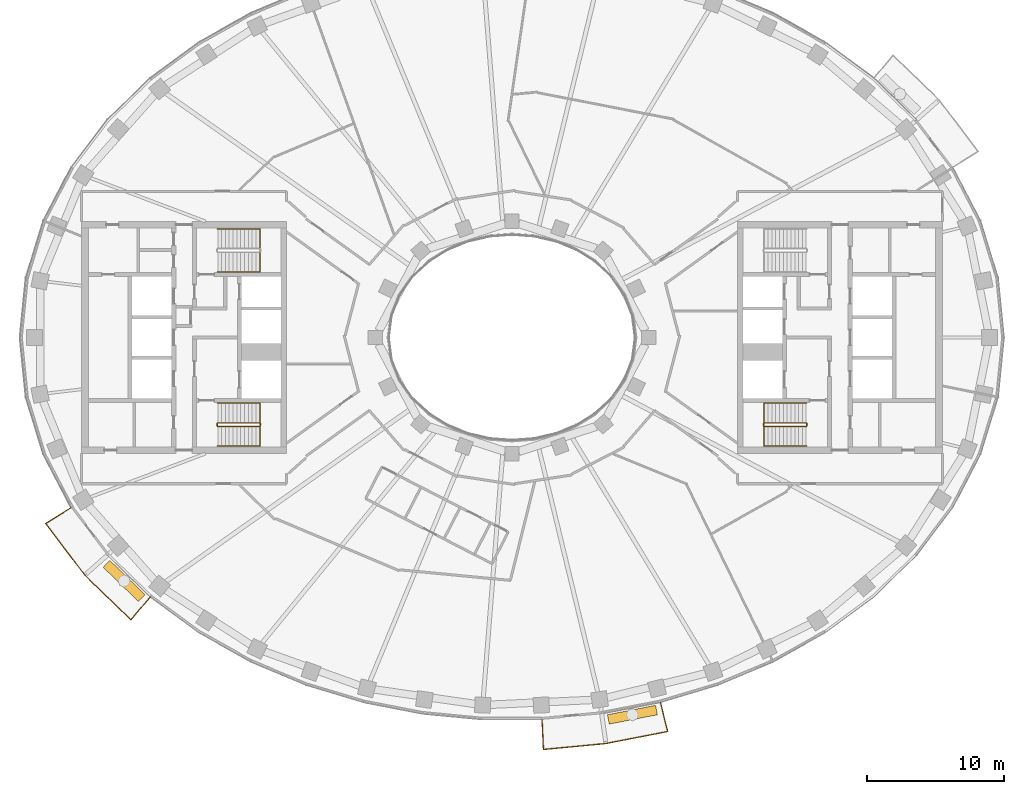
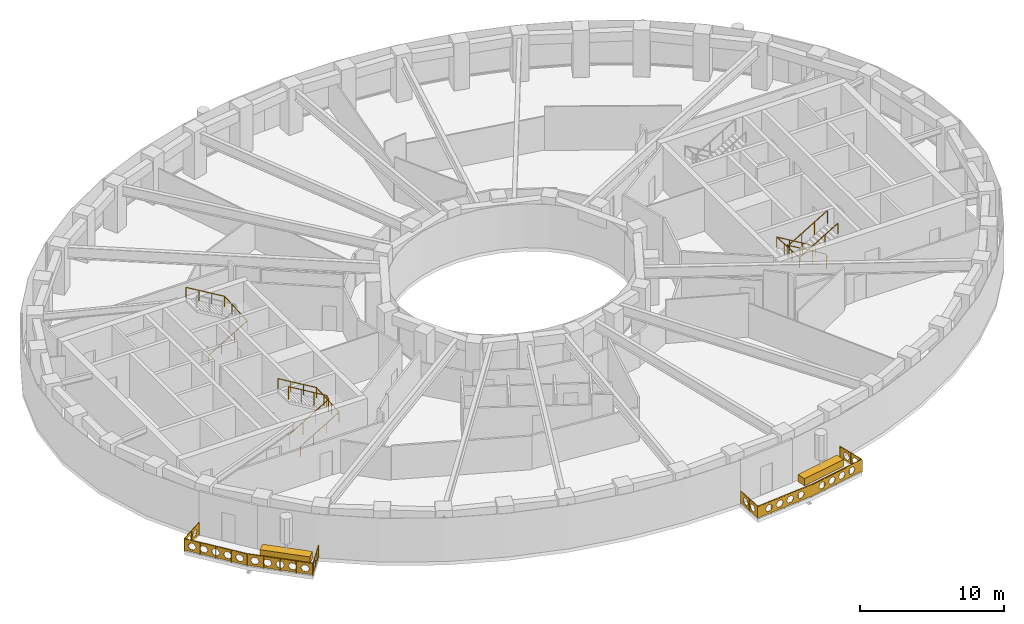
# One storey, part 14 of 16: 7 railings, 2 coverings.
"""IFC4 building model written with IfcOpenShell, lengths in metres."""

from ifc_helpers import new_model, si_unit, direction, frame, origin, origin_2d, place, context, subcontext, project, spatial, polyline, rectangle, outline, extrude, material, type_object, element, save


model = new_model("IFC4")

# Units and contexts
model_context = context("Model", 3, precision=1e-05, world=origin(), true_north=direction((0.0, 1.0)))
body_context = subcontext(model_context, "Body", "Model", "MODEL_VIEW")
ifc_project = project(units=[si_unit("LENGTHUNIT", "METRE"), si_unit("AREAUNIT", "SQUARE_METRE"), si_unit("VOLUMEUNIT", "CUBIC_METRE"), si_unit("PLANEANGLEUNIT", "RADIAN"), si_unit("MASSUNIT", "GRAM", prefix="KILO")], contexts=[model_context])

# Site, building, storey
site_placement = place(None, origin())
site = spatial("IfcSite", under=ifc_project, at=site_placement, CompositionType="ELEMENT")
building_placement = place(site_placement, origin())
building = spatial("IfcBuilding", under=site, at=building_placement, Name="Noorbagh Ring Tower", CompositionType="ELEMENT")
storey_placement = place(building_placement, frame((0.0, 0.0, 174.0)))
storey = spatial("IfcBuildingStorey", under=building, at=storey_placement, Name="L40", CompositionType="ELEMENT", Elevation=174.0)

# Railings
ifc_material_1 = material(Name="Stainless steel", Category="steel")
railing_type_1 = type_object("IfcRailingType", Name="CORE-STAIR-GUARD", PredefinedType="GUARDRAIL", material=ifc_material_1)
railing_1_placement = place(storey_placement, frame((-21.580078125, -6.449951171875, 0.0)))
element("IfcRailing", 1, at=railing_1_placement, inside=storey, type_object=railing_type_1, Name="L40 ST2 stair guard", PredefinedType="GUARDRAIL", context=body_context, shape_type="SweptSolid", body=[
    extrude(rectangle(XDim=0.048095703125, YDim=0.048095703125, at=origin_2d()), frame((0.0, 0.0, 1.076171875), z_axis=(0.0, 1.0, 0.0), x_axis=(-1.0, 0.0, 0.0)), (0.0, 0.0, 1.0), 0.14990234375),
    extrude(rectangle(XDim=0.048095703125, YDim=0.048095703125, at=origin_2d()), frame((0.0, 0.14990234375, 1.076171875), z_axis=(0.188775798145, -0.754182335027, 0.628945707965), x_axis=(0.970072785993, 0.242814311512, 0.0)), (0.0, 0.0, 1.0), 0.26513671875),
    extrude(rectangle(XDim=0.048095703125, YDim=0.048095703125, at=origin_2d()), frame((0.050048828125, -0.050048828125, 1.24267578125), z_axis=(0.859308565015, 0.0, 0.511457515432), x_axis=(0.0, 1.0, 0.0)), (0.0, 0.0, 1.0), 3.58447265625),
    extrude(rectangle(XDim=0.048095703125, YDim=0.048095703125, at=origin_2d()), frame((3.130126953125, -0.050048828125, 3.076171875), z_axis=(0.707106781187, 0.707106781187, 0.0), x_axis=(-0.707106781187, 0.707106781187, 0.0)), (0.0, 0.0, 1.0), 0.07080078125),
    extrude(rectangle(XDim=0.048095703125, YDim=0.048095703125, at=origin_2d()), frame((3.18017578125, 0.0, 3.076171875), z_axis=(0.0, 1.0, 0.0), x_axis=(-1.0, 0.0, 0.0)), (0.0, 0.0, 1.0), 0.14990234375),
    extrude(rectangle(XDim=0.048095703125, YDim=0.048095703125, at=origin_2d()), frame((3.18017578125, 0.14990234375, 3.076171875), z_axis=(-0.27628659633, 0.27628659633, 0.920506074601), x_axis=(-0.707106781187, -0.707106781187, 0.0)), (0.0, 0.0, 1.0), 0.18115234375),
    extrude(rectangle(XDim=0.048095703125, YDim=0.048095703125, at=origin_2d()), frame((3.130126953125, 0.199951171875, 3.24267578125), z_axis=(-0.859308565015, 0.0, 0.511457515432), x_axis=(0.0, -1.0, 0.0)), (0.0, 0.0, 1.0), 3.58447265625),
    extrude(rectangle(XDim=0.0419921875, YDim=0.0419921875, at=origin_2d()), origin(), (0.0, 0.0, 1.0), 1.052001953125),
    extrude(rectangle(XDim=0.0419921875, YDim=0.0419921875, at=origin_2d()), frame((1.07666015625, -0.050048828125, 0.77783203125)), (0.0, 0.0, 1.0), 1.052001953125),
    extrude(rectangle(XDim=0.0419921875, YDim=0.0419921875, at=origin_2d()), frame((2.103515625, -0.050048828125, 1.388916015625)), (0.0, 0.0, 1.0), 1.052001953125),
    extrude(rectangle(XDim=0.0419921875, YDim=0.0419921875, at=origin_2d()), frame((3.130126953125, -0.050048828125, 2.0)), (0.0, 0.0, 1.0), 1.052001953125),
    extrude(rectangle(XDim=0.0419921875, YDim=0.0419921875, at=origin_2d()), frame((3.130126953125, 0.199951171875, 2.166748046875)), (0.0, 0.0, 1.0), 1.052001953125),
    extrude(rectangle(XDim=0.0419921875, YDim=0.0419921875, at=origin_2d()), frame((2.103515625, 0.199951171875, 2.77783203125)), (0.0, 0.0, 1.0), 1.052001953125),
    extrude(rectangle(XDim=0.0419921875, YDim=0.0419921875, at=origin_2d()), frame((1.07666015625, 0.199951171875, 3.388916015625)), (0.0, 0.0, 1.0), 1.052001953125),
    extrude(rectangle(XDim=0.0419921875, YDim=0.0419921875, at=origin_2d()), frame((0.050048828125, 0.199951171875, 4.0)), (0.0, 0.0, 1.0), 1.052001953125),
])
railing_2_placement = place(storey_placement, frame((21.580078125, -6.300048828125, 0.0)))
element("IfcRailing", 2, at=railing_2_placement, inside=storey, type_object=railing_type_1, Name="L40 ST4 stair guard", PredefinedType="GUARDRAIL", context=body_context, shape_type="SweptSolid", body=[
    extrude(rectangle(XDim=0.048095703125, YDim=0.048095703125, at=origin_2d()), frame((0.0, 0.0, 1.076171875), z_axis=(0.0, -1.0, 0.0), x_axis=(1.0, 0.0, 0.0)), (0.0, 0.0, 1.0), 0.14990234375),
    extrude(rectangle(XDim=0.048095703125, YDim=0.048095703125, at=origin_2d()), frame((0.0, -0.14990234375, 1.076171875), z_axis=(-0.188775798145, 0.754182335027, 0.628945707965), x_axis=(-0.970072785993, -0.242814311512, 0.0)), (0.0, 0.0, 1.0), 0.26513671875),
    extrude(rectangle(XDim=0.048095703125, YDim=0.048095703125, at=origin_2d()), frame((-0.050048828125, 0.050048828125, 1.24267578125), z_axis=(-0.859308565015, 0.0, 0.511457515432), x_axis=(0.0, -1.0, 0.0)), (0.0, 0.0, 1.0), 3.58447265625),
    extrude(rectangle(XDim=0.048095703125, YDim=0.048095703125, at=origin_2d()), frame((-3.130126953125, 0.050048828125, 3.076171875), z_axis=(-0.707106781187, -0.707106781187, 0.0), x_axis=(0.707106781187, -0.707106781187, 0.0)), (0.0, 0.0, 1.0), 0.07080078125),
    extrude(rectangle(XDim=0.048095703125, YDim=0.048095703125, at=origin_2d()), frame((-3.18017578125, 0.0, 3.076171875), z_axis=(0.0, -1.0, 0.0), x_axis=(1.0, 0.0, 0.0)), (0.0, 0.0, 1.0), 0.14990234375),
    extrude(rectangle(XDim=0.048095703125, YDim=0.048095703125, at=origin_2d()), frame((-3.18017578125, -0.14990234375, 3.076171875), z_axis=(0.27628659633, -0.27628659633, 0.920506074601), x_axis=(0.707106781187, 0.707106781187, 0.0)), (0.0, 0.0, 1.0), 0.18115234375),
    extrude(rectangle(XDim=0.048095703125, YDim=0.048095703125, at=origin_2d()), frame((-3.130126953125, -0.199951171875, 3.24267578125), z_axis=(0.859308565015, 0.0, 0.511457515432), x_axis=(0.0, 1.0, 0.0)), (0.0, 0.0, 1.0), 3.58447265625),
    extrude(rectangle(XDim=0.0419921875, YDim=0.0419921875, at=origin_2d()), origin(), (0.0, 0.0, 1.0), 1.052001953125),
    extrude(rectangle(XDim=0.0419921875, YDim=0.0419921875, at=origin_2d()), frame((-1.07666015625, 0.050048828125, 0.77783203125)), (0.0, 0.0, 1.0), 1.052001953125),
    extrude(rectangle(XDim=0.0419921875, YDim=0.0419921875, at=origin_2d()), frame((-2.103515625, 0.050048828125, 1.388916015625)), (0.0, 0.0, 1.0), 1.052001953125),
    extrude(rectangle(XDim=0.0419921875, YDim=0.0419921875, at=origin_2d()), frame((-3.130126953125, 0.050048828125, 2.0)), (0.0, 0.0, 1.0), 1.052001953125),
    extrude(rectangle(XDim=0.0419921875, YDim=0.0419921875, at=origin_2d()), frame((-3.130126953125, -0.199951171875, 2.166748046875)), (0.0, 0.0, 1.0), 1.052001953125),
    extrude(rectangle(XDim=0.0419921875, YDim=0.0419921875, at=origin_2d()), frame((-2.103515625, -0.199951171875, 2.77783203125)), (0.0, 0.0, 1.0), 1.052001953125),
    extrude(rectangle(XDim=0.0419921875, YDim=0.0419921875, at=origin_2d()), frame((-1.07666015625, -0.199951171875, 3.388916015625)), (0.0, 0.0, 1.0), 1.052001953125),
    extrude(rectangle(XDim=0.0419921875, YDim=0.0419921875, at=origin_2d()), frame((-0.050048828125, -0.199951171875, 4.0)), (0.0, 0.0, 1.0), 1.052001953125),
])
ifc_material_2 = material(Name="Stainless steel", Category="steel")
railing_type_2 = type_object("IfcRailingType", Name="CORE-STAIR-HANDRAIL", PredefinedType="HANDRAIL", material=ifc_material_2)
railing_3_placement = place(storey_placement, frame((-21.530029296875, 4.800048828125, 0.166748046875)))
element("IfcRailing", 3, at=railing_3_placement, inside=storey, type_object=railing_type_2, Name="L40 ST1 stair handrail", PredefinedType="HANDRAIL", context=body_context, shape_type="SweptSolid", body=[
    extrude(rectangle(XDim=0.048095703125, YDim=0.048095703125, at=origin_2d()), frame((0.0, 0.0, 0.8759765625), z_axis=(0.859308565015, 0.0, 0.511457515432), x_axis=(0.0, 1.0, 0.0)), (0.0, 0.0, 1.0), 3.58447265625),
    extrude(rectangle(XDim=0.048095703125, YDim=0.048095703125, at=origin_2d()), frame((3.080078125, 0.0, 2.708984375), z_axis=(0.0, 0.998601747152, 0.052863509014), x_axis=(-1.0, 0.0, 0.0)), (0.0, 0.0, 1.0), 3.154296875),
    extrude(rectangle(XDim=0.048095703125, YDim=0.048095703125, at=origin_2d()), frame((3.080078125, 3.14990234375, 2.8759765625), z_axis=(-0.859308565015, 0.0, 0.511457515432), x_axis=(0.0, -1.0, 0.0)), (0.0, 0.0, 1.0), 3.58447265625),
    extrude(rectangle(XDim=0.0419921875, YDim=0.0419921875, at=origin_2d()), origin(), (0.0, 0.0, 1.0), 0.851806640625),
    extrude(rectangle(XDim=0.0419921875, YDim=0.0419921875, at=origin_2d()), frame((1.026611328125, 0.0, 0.611083984375)), (0.0, 0.0, 1.0), 0.851806640625),
    extrude(rectangle(XDim=0.0419921875, YDim=0.0419921875, at=origin_2d()), frame((2.053466796875, 0.0, 1.22216796875)), (0.0, 0.0, 1.0), 0.851806640625),
    extrude(rectangle(XDim=0.0419921875, YDim=0.0419921875, at=origin_2d()), frame((3.080078125, 0.0, 1.833251953125)), (0.0, 0.0, 1.0), 0.851806640625),
    extrude(rectangle(XDim=0.0419921875, YDim=0.0419921875, at=origin_2d()), frame((3.080078125, 1.050048828125, 1.888916015625)), (0.0, 0.0, 1.0), 0.851806640625),
    extrude(rectangle(XDim=0.0419921875, YDim=0.0419921875, at=origin_2d()), frame((3.080078125, 2.099853515625, 1.9443359375)), (0.0, 0.0, 1.0), 0.851806640625),
    extrude(rectangle(XDim=0.0419921875, YDim=0.0419921875, at=origin_2d()), frame((3.080078125, 3.14990234375, 2.0)), (0.0, 0.0, 1.0), 0.851806640625),
    extrude(rectangle(XDim=0.0419921875, YDim=0.0419921875, at=origin_2d()), frame((2.053466796875, 3.14990234375, 2.611083984375)), (0.0, 0.0, 1.0), 0.851806640625),
    extrude(rectangle(XDim=0.0419921875, YDim=0.0419921875, at=origin_2d()), frame((1.026611328125, 3.14990234375, 3.22216796875)), (0.0, 0.0, 1.0), 0.851806640625),
    extrude(rectangle(XDim=0.0419921875, YDim=0.0419921875, at=origin_2d()), frame((0.0, 3.14990234375, 3.833251953125)), (0.0, 0.0, 1.0), 0.851806640625),
])
railing_4_placement = place(storey_placement, frame((-21.530029296875, -7.949951171875, 0.166748046875)))
element("IfcRailing", 4, at=railing_4_placement, inside=storey, type_object=railing_type_2, Name="L40 ST2 stair handrail", PredefinedType="HANDRAIL", context=body_context, shape_type="SweptSolid", body=[
    extrude(rectangle(XDim=0.048095703125, YDim=0.048095703125, at=origin_2d()), frame((0.0, 0.0, 0.8759765625), z_axis=(0.859308565015, 0.0, 0.511457515432), x_axis=(0.0, 1.0, 0.0)), (0.0, 0.0, 1.0), 3.58447265625),
    extrude(rectangle(XDim=0.048095703125, YDim=0.048095703125, at=origin_2d()), frame((3.080078125, 0.0, 2.708984375), z_axis=(0.0, 0.998601747152, 0.052863509014), x_axis=(-1.0, 0.0, 0.0)), (0.0, 0.0, 1.0), 3.154296875),
    extrude(rectangle(XDim=0.048095703125, YDim=0.048095703125, at=origin_2d()), frame((3.080078125, 3.14990234375, 2.8759765625), z_axis=(-0.859308565015, 0.0, 0.511457515432), x_axis=(0.0, -1.0, 0.0)), (0.0, 0.0, 1.0), 3.58447265625),
    extrude(rectangle(XDim=0.0419921875, YDim=0.0419921875, at=origin_2d()), origin(), (0.0, 0.0, 1.0), 0.851806640625),
    extrude(rectangle(XDim=0.0419921875, YDim=0.0419921875, at=origin_2d()), frame((1.026611328125, 0.0, 0.611083984375)), (0.0, 0.0, 1.0), 0.851806640625),
    extrude(rectangle(XDim=0.0419921875, YDim=0.0419921875, at=origin_2d()), frame((2.053466796875, 0.0, 1.22216796875)), (0.0, 0.0, 1.0), 0.851806640625),
    extrude(rectangle(XDim=0.0419921875, YDim=0.0419921875, at=origin_2d()), frame((3.080078125, 0.0, 1.833251953125)), (0.0, 0.0, 1.0), 0.851806640625),
    extrude(rectangle(XDim=0.0419921875, YDim=0.0419921875, at=origin_2d()), frame((3.080078125, 1.050048828125, 1.888916015625)), (0.0, 0.0, 1.0), 0.851806640625),
    extrude(rectangle(XDim=0.0419921875, YDim=0.0419921875, at=origin_2d()), frame((3.080078125, 2.099853515625, 1.9443359375)), (0.0, 0.0, 1.0), 0.851806640625),
    extrude(rectangle(XDim=0.0419921875, YDim=0.0419921875, at=origin_2d()), frame((3.080078125, 3.14990234375, 2.0)), (0.0, 0.0, 1.0), 0.851806640625),
    extrude(rectangle(XDim=0.0419921875, YDim=0.0419921875, at=origin_2d()), frame((2.053466796875, 3.14990234375, 2.611083984375)), (0.0, 0.0, 1.0), 0.851806640625),
    extrude(rectangle(XDim=0.0419921875, YDim=0.0419921875, at=origin_2d()), frame((1.026611328125, 3.14990234375, 3.22216796875)), (0.0, 0.0, 1.0), 0.851806640625),
    extrude(rectangle(XDim=0.0419921875, YDim=0.0419921875, at=origin_2d()), frame((0.0, 3.14990234375, 3.833251953125)), (0.0, 0.0, 1.0), 0.851806640625),
])
railing_5_placement = place(storey_placement, frame((21.530029296875, -4.800048828125, 0.166748046875)))
element("IfcRailing", 5, at=railing_5_placement, inside=storey, type_object=railing_type_2, Name="L40 ST4 stair handrail", PredefinedType="HANDRAIL", context=body_context, shape_type="SweptSolid", body=[
    extrude(rectangle(XDim=0.048095703125, YDim=0.048095703125, at=origin_2d()), frame((0.0, 0.0, 0.8759765625), z_axis=(-0.859308565015, 0.0, 0.511457515432), x_axis=(0.0, -1.0, 0.0)), (0.0, 0.0, 1.0), 3.58447265625),
    extrude(rectangle(XDim=0.048095703125, YDim=0.048095703125, at=origin_2d()), frame((-3.080078125, 0.0, 2.708984375), z_axis=(0.0, -0.998601747152, 0.052863509014), x_axis=(1.0, 0.0, 0.0)), (0.0, 0.0, 1.0), 3.154296875),
    extrude(rectangle(XDim=0.048095703125, YDim=0.048095703125, at=origin_2d()), frame((-3.080078125, -3.14990234375, 2.8759765625), z_axis=(0.859308565015, 0.0, 0.511457515432), x_axis=(0.0, 1.0, 0.0)), (0.0, 0.0, 1.0), 3.58447265625),
    extrude(rectangle(XDim=0.0419921875, YDim=0.0419921875, at=origin_2d()), origin(), (0.0, 0.0, 1.0), 0.851806640625),
    extrude(rectangle(XDim=0.0419921875, YDim=0.0419921875, at=origin_2d()), frame((-1.026611328125, 0.0, 0.611083984375)), (0.0, 0.0, 1.0), 0.851806640625),
    extrude(rectangle(XDim=0.0419921875, YDim=0.0419921875, at=origin_2d()), frame((-2.053466796875, 0.0, 1.22216796875)), (0.0, 0.0, 1.0), 0.851806640625),
    extrude(rectangle(XDim=0.0419921875, YDim=0.0419921875, at=origin_2d()), frame((-3.080078125, 0.0, 1.833251953125)), (0.0, 0.0, 1.0), 0.851806640625),
    extrude(rectangle(XDim=0.0419921875, YDim=0.0419921875, at=origin_2d()), frame((-3.080078125, -1.050048828125, 1.888916015625)), (0.0, 0.0, 1.0), 0.851806640625),
    extrude(rectangle(XDim=0.0419921875, YDim=0.0419921875, at=origin_2d()), frame((-3.080078125, -2.099853515625, 1.9443359375)), (0.0, 0.0, 1.0), 0.851806640625),
    extrude(rectangle(XDim=0.0419921875, YDim=0.0419921875, at=origin_2d()), frame((-3.080078125, -3.14990234375, 2.0)), (0.0, 0.0, 1.0), 0.851806640625),
    extrude(rectangle(XDim=0.0419921875, YDim=0.0419921875, at=origin_2d()), frame((-2.053466796875, -3.14990234375, 2.611083984375)), (0.0, 0.0, 1.0), 0.851806640625),
    extrude(rectangle(XDim=0.0419921875, YDim=0.0419921875, at=origin_2d()), frame((-1.026611328125, -3.14990234375, 3.22216796875)), (0.0, 0.0, 1.0), 0.851806640625),
    extrude(rectangle(XDim=0.0419921875, YDim=0.0419921875, at=origin_2d()), frame((0.0, -3.14990234375, 3.833251953125)), (0.0, 0.0, 1.0), 0.851806640625),
])
ifc_material_3 = material(Name="Steel S275 black powder-coated", Category="steel")
railing_type_3 = type_object("IfcRailingType", Name="ENV-GUARD", PredefinedType="GUARDRAIL", material=ifc_material_3)
railing_6_placement = place(storey_placement, frame((-32.255126953125, -12.434814453125, 0.0)))
element("IfcRailing", 6, at=railing_6_placement, inside=storey, type_object=railing_type_3, Name="Balcony guard BS01", PredefinedType="GUARDRAIL", context=body_context, shape_type="SweptSolid", body=[
    extrude(rectangle(XDim=0.048095703125, YDim=0.048095703125, at=origin_2d()), frame((0.0, 0.0, 1.076171875), z_axis=(-0.844852397829, -0.534999463442, 0.0), x_axis=(0.534999463442, -0.844852397829, 0.0)), (0.0, 0.0, 1.0), 2.207763671875),
    extrude(rectangle(XDim=0.048095703125, YDim=0.048095703125, at=origin_2d()), frame((-1.865234375, -1.18115234375, 1.076171875), z_axis=(0.604001613322, -0.796983093362, 0.0), x_axis=(0.796983093362, 0.604001613322, 0.0)), (0.0, 0.0, 1.0), 4.7353515625),
    extrude(rectangle(XDim=0.048095703125, YDim=0.048095703125, at=origin_2d()), frame((0.994873046875, -4.955078125, 1.076171875), z_axis=(0.717212632946, -0.696854388766, 0.0), x_axis=(0.696854388766, 0.717212632946, 0.0)), (0.0, 0.0, 1.0), 4.700927734375),
    extrude(rectangle(XDim=0.048095703125, YDim=0.048095703125, at=origin_2d()), frame((4.366455078125, -8.23095703125, 1.076171875), z_axis=(0.646413574048, 0.762987215677, 0.0), x_axis=(-0.762987215677, 0.646413574048, 0.0)), (0.0, 0.0, 1.0), 2.205322265625),
    extrude(rectangle(XDim=0.0419921875, YDim=0.0419921875, at=origin_2d()), origin(), (0.0, 0.0, 1.0), 1.052001953125),
    extrude(rectangle(XDim=0.0419921875, YDim=0.0419921875, at=origin_2d()), frame((-0.9326171875, -0.590576171875, 0.0)), (0.0, 0.0, 1.0), 1.052001953125),
    extrude(rectangle(XDim=0.0419921875, YDim=0.0419921875, at=origin_2d()), frame((-1.865234375, -1.18115234375, 0.0)), (0.0, 0.0, 1.0), 1.052001953125),
    extrude(rectangle(XDim=0.0419921875, YDim=0.0419921875, at=origin_2d()), frame((-1.150146484375, -2.12451171875, 0.0)), (0.0, 0.0, 1.0), 1.052001953125),
    extrude(rectangle(XDim=0.0419921875, YDim=0.0419921875, at=origin_2d()), frame((-0.43505859375, -3.068115234375, 0.0)), (0.0, 0.0, 1.0), 1.052001953125),
    extrude(rectangle(XDim=0.0419921875, YDim=0.0419921875, at=origin_2d()), frame((0.27978515625, -4.01171875, 0.0)), (0.0, 0.0, 1.0), 1.052001953125),
    extrude(rectangle(XDim=0.0419921875, YDim=0.0419921875, at=origin_2d()), frame((0.994873046875, -4.955078125, 0.0)), (0.0, 0.0, 1.0), 1.052001953125),
    extrude(rectangle(XDim=0.0419921875, YDim=0.0419921875, at=origin_2d()), frame((1.837890625, -5.77392578125, 0.0)), (0.0, 0.0, 1.0), 1.052001953125),
    extrude(rectangle(XDim=0.0419921875, YDim=0.0419921875, at=origin_2d()), frame((2.6806640625, -6.593017578125, 0.0)), (0.0, 0.0, 1.0), 1.052001953125),
    extrude(rectangle(XDim=0.0419921875, YDim=0.0419921875, at=origin_2d()), frame((3.5234375, -7.412109375, 0.0)), (0.0, 0.0, 1.0), 1.052001953125),
    extrude(rectangle(XDim=0.0419921875, YDim=0.0419921875, at=origin_2d()), frame((4.366455078125, -8.23095703125, 0.0)), (0.0, 0.0, 1.0), 1.052001953125),
    extrude(rectangle(XDim=0.0419921875, YDim=0.0419921875, at=origin_2d()), frame((5.0791015625, -7.3896484375, 0.0)), (0.0, 0.0, 1.0), 1.052001953125),
    extrude(rectangle(XDim=0.0419921875, YDim=0.0419921875, at=origin_2d()), frame((5.7919921875, -6.54833984375, 0.0)), (0.0, 0.0, 1.0), 1.052001953125),
    extrude(outline(polyline([(0.0, 0.10009765625), (2.207763671875, 0.10009765625), (2.207763671875, 1.031982421875), (0.0, 1.031982421875), (0.0, 0.10009765625)]), holes=[polyline([(0.9638671875, 0.56591796875), (0.808837890625, 0.83447265625), (0.498779296875, 0.83447265625), (0.343994140625, 0.56591796875), (0.498779296875, 0.297607421875), (0.808837890625, 0.297607421875), (0.9638671875, 0.56591796875)]), polyline([(1.86376953125, 0.56591796875), (1.708984375, 0.83447265625), (1.39892578125, 0.83447265625), (1.243896484375, 0.56591796875), (1.39892578125, 0.297607421875), (1.708984375, 0.297607421875), (1.86376953125, 0.56591796875)])]), frame((0.00537109375, -0.008544921875, 0.0), z_axis=(-0.534999463442, 0.844852397829, 0.0), x_axis=(-0.844852397829, -0.534999463442, 0.0)), (0.0, 0.0, 1.0), 0.02001953125),
    extrude(outline(polyline([(0.0, 0.10009765625), (4.7353515625, 0.10009765625), (4.7353515625, 1.031982421875), (0.0, 1.031982421875), (0.0, 0.10009765625)]), holes=[polyline([(0.877685546875, 0.56591796875), (0.72265625, 0.83447265625), (0.41259765625, 0.83447265625), (0.257568359375, 0.56591796875), (0.41259765625, 0.297607421875), (0.72265625, 0.297607421875), (0.877685546875, 0.56591796875)]), polyline([(1.777587890625, 0.56591796875), (1.62255859375, 0.83447265625), (1.312744140625, 0.83447265625), (1.15771484375, 0.56591796875), (1.312744140625, 0.297607421875), (1.62255859375, 0.297607421875), (1.777587890625, 0.56591796875)]), polyline([(2.677734375, 0.56591796875), (2.522705078125, 0.83447265625), (2.212646484375, 0.83447265625), (2.0576171875, 0.56591796875), (2.212646484375, 0.297607421875), (2.522705078125, 0.297607421875), (2.677734375, 0.56591796875)]), polyline([(3.57763671875, 0.56591796875), (3.422607421875, 0.83447265625), (3.112548828125, 0.83447265625), (2.95751953125, 0.56591796875), (3.112548828125, 0.297607421875), (3.422607421875, 0.297607421875), (3.57763671875, 0.56591796875)]), polyline([(4.4775390625, 0.56591796875), (4.32275390625, 0.83447265625), (4.0126953125, 0.83447265625), (3.857666015625, 0.56591796875), (4.0126953125, 0.297607421875), (4.32275390625, 0.297607421875), (4.4775390625, 0.56591796875)])]), frame((-1.857177734375, -1.175048828125, 0.0), z_axis=(-0.796983093362, -0.604001613322, 0.0), x_axis=(0.604001613322, -0.796983093362, 0.0)), (0.0, 0.0, 1.0), 0.02001953125),
    extrude(outline(polyline([(0.0, 0.10009765625), (4.700927734375, 0.10009765625), (4.700927734375, 1.031982421875), (0.0, 1.031982421875), (0.0, 0.10009765625)]), holes=[polyline([(0.860595703125, 0.56591796875), (0.70556640625, 0.83447265625), (0.3955078125, 0.83447265625), (0.240478515625, 0.56591796875), (0.3955078125, 0.297607421875), (0.70556640625, 0.297607421875), (0.860595703125, 0.56591796875)]), polyline([(1.760498046875, 0.56591796875), (1.60546875, 0.83447265625), (1.29541015625, 0.83447265625), (1.140380859375, 0.56591796875), (1.29541015625, 0.297607421875), (1.60546875, 0.297607421875), (1.760498046875, 0.56591796875)]), polyline([(2.660400390625, 0.56591796875), (2.50537109375, 0.83447265625), (2.195556640625, 0.83447265625), (2.04052734375, 0.56591796875), (2.195556640625, 0.297607421875), (2.50537109375, 0.297607421875), (2.660400390625, 0.56591796875)]), polyline([(3.560546875, 0.56591796875), (3.405517578125, 0.83447265625), (3.095458984375, 0.83447265625), (2.9404296875, 0.56591796875), (3.095458984375, 0.297607421875), (3.405517578125, 0.297607421875), (3.560546875, 0.56591796875)]), polyline([(4.46044921875, 0.56591796875), (4.305419921875, 0.83447265625), (3.995361328125, 0.83447265625), (3.840576171875, 0.56591796875), (3.995361328125, 0.297607421875), (4.305419921875, 0.297607421875), (4.46044921875, 0.56591796875)])]), frame((1.001953125, -4.947998046875, 0.0), z_axis=(-0.696854388766, -0.717212632946, 0.0), x_axis=(0.717212632946, -0.696854388766, 0.0)), (0.0, 0.0, 1.0), 0.02001953125),
    extrude(outline(polyline([(0.0, 0.10009765625), (2.205322265625, 0.10009765625), (2.205322265625, 1.031982421875), (0.0, 1.031982421875), (0.0, 0.10009765625)]), holes=[polyline([(0.962646484375, 0.56591796875), (0.8076171875, 0.83447265625), (0.49755859375, 0.83447265625), (0.342529296875, 0.56591796875), (0.49755859375, 0.297607421875), (0.8076171875, 0.297607421875), (0.962646484375, 0.56591796875)]), polyline([(1.862548828125, 0.56591796875), (1.707763671875, 0.83447265625), (1.397705078125, 0.83447265625), (1.24267578125, 0.56591796875), (1.397705078125, 0.297607421875), (1.707763671875, 0.297607421875), (1.862548828125, 0.56591796875)])]), frame((4.35888671875, -8.224609375, 0.0), z_axis=(0.762987215677, -0.646413574048, 0.0), x_axis=(0.646413574048, 0.762987215677, 0.0)), (0.0, 0.0, 1.0), 0.02001953125),
])
railing_7_placement = place(storey_placement, frame((2.193115234375, -27.947998046875, 0.0)))
element("IfcRailing", 7, at=railing_7_placement, inside=storey, type_object=railing_type_3, Name="Balcony guard BS04", PredefinedType="GUARDRAIL", context=body_context, shape_type="SweptSolid", body=[
    extrude(rectangle(XDim=0.048095703125, YDim=0.048095703125, at=origin_2d()), frame((0.0, 0.0, 1.076171875), z_axis=(0.047554616162, -0.998868639252, 0.0), x_axis=(0.998868639252, 0.047554616162, 0.0)), (0.0, 0.0, 1.0), 2.202392578125),
    extrude(rectangle(XDim=0.048095703125, YDim=0.048095703125, at=origin_2d()), frame((0.104736328125, -2.199951171875, 1.076171875), z_axis=(0.995477555764, 0.094997031379, 0.0), x_axis=(-0.094997031379, 0.995477555764, 0.0)), (0.0, 0.0, 1.0), 4.59765625),
    extrude(rectangle(XDim=0.048095703125, YDim=0.048095703125, at=origin_2d()), frame((4.681640625, -1.76318359375, 1.076171875), z_axis=(0.981625049064, 0.1908199755, 0.0), x_axis=(-0.1908199755, 0.981625049064, 0.0)), (0.0, 0.0, 1.0), 4.603271484375),
    extrude(rectangle(XDim=0.048095703125, YDim=0.048095703125, at=origin_2d()), frame((9.200439453125, -0.884765625, 1.076171875), z_axis=(-0.239848558412, 0.970810315679, 0.0), x_axis=(-0.970810315679, -0.239848558412, 0.0)), (0.0, 0.0, 1.0), 2.20263671875),
    extrude(rectangle(XDim=0.0419921875, YDim=0.0419921875, at=origin_2d()), origin(), (0.0, 0.0, 1.0), 1.052001953125),
    extrude(rectangle(XDim=0.0419921875, YDim=0.0419921875, at=origin_2d()), frame((0.05224609375, -1.10009765625, 0.0)), (0.0, 0.0, 1.0), 1.052001953125),
    extrude(rectangle(XDim=0.0419921875, YDim=0.0419921875, at=origin_2d()), frame((0.104736328125, -2.199951171875, 0.0)), (0.0, 0.0, 1.0), 1.052001953125),
    extrude(rectangle(XDim=0.0419921875, YDim=0.0419921875, at=origin_2d()), frame((1.2490234375, -2.0908203125, 0.0)), (0.0, 0.0, 1.0), 1.052001953125),
    extrude(rectangle(XDim=0.0419921875, YDim=0.0419921875, at=origin_2d()), frame((2.39306640625, -1.9814453125, 0.0)), (0.0, 0.0, 1.0), 1.052001953125),
    extrude(rectangle(XDim=0.0419921875, YDim=0.0419921875, at=origin_2d()), frame((3.537353515625, -1.872314453125, 0.0)), (0.0, 0.0, 1.0), 1.052001953125),
    extrude(rectangle(XDim=0.0419921875, YDim=0.0419921875, at=origin_2d()), frame((4.681640625, -1.76318359375, 0.0)), (0.0, 0.0, 1.0), 1.052001953125),
    extrude(rectangle(XDim=0.0419921875, YDim=0.0419921875, at=origin_2d()), frame((5.811279296875, -1.54345703125, 0.0)), (0.0, 0.0, 1.0), 1.052001953125),
    extrude(rectangle(XDim=0.0419921875, YDim=0.0419921875, at=origin_2d()), frame((6.94091796875, -1.323974609375, 0.0)), (0.0, 0.0, 1.0), 1.052001953125),
    extrude(rectangle(XDim=0.0419921875, YDim=0.0419921875, at=origin_2d()), frame((8.07080078125, -1.1044921875, 0.0)), (0.0, 0.0, 1.0), 1.052001953125),
    extrude(rectangle(XDim=0.0419921875, YDim=0.0419921875, at=origin_2d()), frame((9.200439453125, -0.884765625, 0.0)), (0.0, 0.0, 1.0), 1.052001953125),
    extrude(rectangle(XDim=0.0419921875, YDim=0.0419921875, at=origin_2d()), frame((8.936279296875, 0.1845703125, 0.0)), (0.0, 0.0, 1.0), 1.052001953125),
    extrude(rectangle(XDim=0.0419921875, YDim=0.0419921875, at=origin_2d()), frame((8.672119140625, 1.253662109375, 0.0)), (0.0, 0.0, 1.0), 1.052001953125),
    extrude(outline(polyline([(0.0, 0.10009765625), (2.202392578125, 0.10009765625), (2.202392578125, 1.031982421875), (0.0, 1.031982421875), (0.0, 0.10009765625)]), holes=[polyline([(0.961181640625, 0.56591796875), (0.80615234375, 0.83447265625), (0.496337890625, 0.83447265625), (0.34130859375, 0.56591796875), (0.496337890625, 0.297607421875), (0.80615234375, 0.297607421875), (0.961181640625, 0.56591796875)]), polyline([(1.861328125, 0.56591796875), (1.706298828125, 0.83447265625), (1.396240234375, 0.83447265625), (1.2412109375, 0.56591796875), (1.396240234375, 0.297607421875), (1.706298828125, 0.297607421875), (1.861328125, 0.56591796875)])]), frame((0.010009765625, 0.00048828125, 0.0), z_axis=(-0.998868639252, -0.047554616162, 0.0), x_axis=(0.047554616162, -0.998868639252, 0.0)), (0.0, 0.0, 1.0), 0.02001953125),
    extrude(outline(polyline([(0.0, 0.10009765625), (4.59765625, 0.10009765625), (4.59765625, 1.031982421875), (0.0, 1.031982421875), (0.0, 0.10009765625)]), holes=[polyline([(1.2587890625, 0.56591796875), (1.103759765625, 0.83447265625), (0.7939453125, 0.83447265625), (0.638916015625, 0.56591796875), (0.7939453125, 0.297607421875), (1.103759765625, 0.297607421875), (1.2587890625, 0.56591796875)]), polyline([(2.158935546875, 0.56591796875), (2.00390625, 0.83447265625), (1.69384765625, 0.83447265625), (1.538818359375, 0.56591796875), (1.69384765625, 0.297607421875), (2.00390625, 0.297607421875), (2.158935546875, 0.56591796875)]), polyline([(3.058837890625, 0.56591796875), (2.90380859375, 0.83447265625), (2.59375, 0.83447265625), (2.43896484375, 0.56591796875), (2.59375, 0.297607421875), (2.90380859375, 0.297607421875), (3.058837890625, 0.56591796875)]), polyline([(3.958740234375, 0.56591796875), (3.803955078125, 0.83447265625), (3.493896484375, 0.83447265625), (3.3388671875, 0.56591796875), (3.493896484375, 0.297607421875), (3.803955078125, 0.297607421875), (3.958740234375, 0.56591796875)])]), frame((0.103759765625, -2.18994140625, 0.0), z_axis=(0.094997031379, -0.995477555764, 0.0), x_axis=(0.995477555764, 0.094997031379, 0.0)), (0.0, 0.0, 1.0), 0.02001953125),
    extrude(outline(polyline([(0.0, 0.10009765625), (4.603271484375, 0.10009765625), (4.603271484375, 1.031982421875), (0.0, 1.031982421875), (0.0, 0.10009765625)]), holes=[polyline([(1.26171875, 0.56591796875), (1.106689453125, 0.83447265625), (0.796630859375, 0.83447265625), (0.6416015625, 0.56591796875), (0.796630859375, 0.297607421875), (1.106689453125, 0.297607421875), (1.26171875, 0.56591796875)]), polyline([(2.16162109375, 0.56591796875), (2.006591796875, 0.83447265625), (1.69677734375, 0.83447265625), (1.541748046875, 0.56591796875), (1.69677734375, 0.297607421875), (2.006591796875, 0.297607421875), (2.16162109375, 0.56591796875)]), polyline([(3.061767578125, 0.56591796875), (2.90673828125, 0.83447265625), (2.5966796875, 0.83447265625), (2.441650390625, 0.56591796875), (2.5966796875, 0.297607421875), (2.90673828125, 0.297607421875), (3.061767578125, 0.56591796875)]), polyline([(3.961669921875, 0.56591796875), (3.806640625, 0.83447265625), (3.49658203125, 0.83447265625), (3.341796875, 0.56591796875), (3.49658203125, 0.297607421875), (3.806640625, 0.297607421875), (3.961669921875, 0.56591796875)])]), frame((4.6796875, -1.75341796875, 0.0), z_axis=(0.1908199755, -0.981625049064, 0.0), x_axis=(0.981625049064, 0.1908199755, 0.0)), (0.0, 0.0, 1.0), 0.02001953125),
    extrude(outline(polyline([(0.0, 0.10009765625), (2.20263671875, 0.10009765625), (2.20263671875, 1.031982421875), (0.0, 1.031982421875), (0.0, 0.10009765625)]), holes=[polyline([(0.96142578125, 0.56591796875), (0.806396484375, 0.83447265625), (0.496337890625, 0.83447265625), (0.34130859375, 0.56591796875), (0.496337890625, 0.297607421875), (0.806396484375, 0.297607421875), (0.96142578125, 0.56591796875)]), polyline([(1.861328125, 0.56591796875), (1.706298828125, 0.83447265625), (1.396240234375, 0.83447265625), (1.241455078125, 0.56591796875), (1.396240234375, 0.297607421875), (1.706298828125, 0.297607421875), (1.861328125, 0.56591796875)])]), frame((9.190673828125, -0.88720703125, 0.0), z_axis=(0.970810315679, 0.239848558412, 0.0), x_axis=(-0.239848558412, 0.970810315679, 0.0)), (0.0, 0.0, 1.0), 0.02001953125),
])

# Coverings
ifc_material_4 = material(Name="Concrete C30/37 planter with soil", Category="concrete")
covering_type = type_object("IfcCoveringType", Name="ENV-PLANTER", PredefinedType="CLADDING", material=ifc_material_4)
covering_1_placement = place(storey_placement, frame((-28.3837890625, -17.814208984375, 0.0), z_axis=(0.0, 0.0, 1.0), x_axis=(0.717224548362, -0.696842125038, 0.0)))
element("IfcCovering", 8, at=covering_1_placement, inside=storey, type_object=covering_type, Name="PLANTER BS01", ObjectType="PLANTER", PredefinedType="CLADDING", context=body_context, shape_type="SweptSolid", body=[
    extrude(rectangle(XDim=3.584228515625, YDim=0.699951171875, at=origin_2d()), origin(), (0.0, 0.0, 1.0), 0.60009765625),
])
covering_2_placement = place(storey_placement, frame((8.807861328125, -27.603515625, 0.0), z_axis=(0.0, 0.0, 1.0), x_axis=(0.981624952922, 0.190820470077, 0.0)))
element("IfcCovering", 9, at=covering_2_placement, inside=storey, type_object=covering_type, Name="PLANTER BS04", ObjectType="PLANTER", PredefinedType="CLADDING", context=body_context, shape_type="SweptSolid", body=[
    extrude(rectangle(XDim=3.586181640625, YDim=0.699951171875, at=origin_2d()), origin(), (0.0, 0.0, 1.0), 0.60009765625),
])

save(model, "model.ifc")
